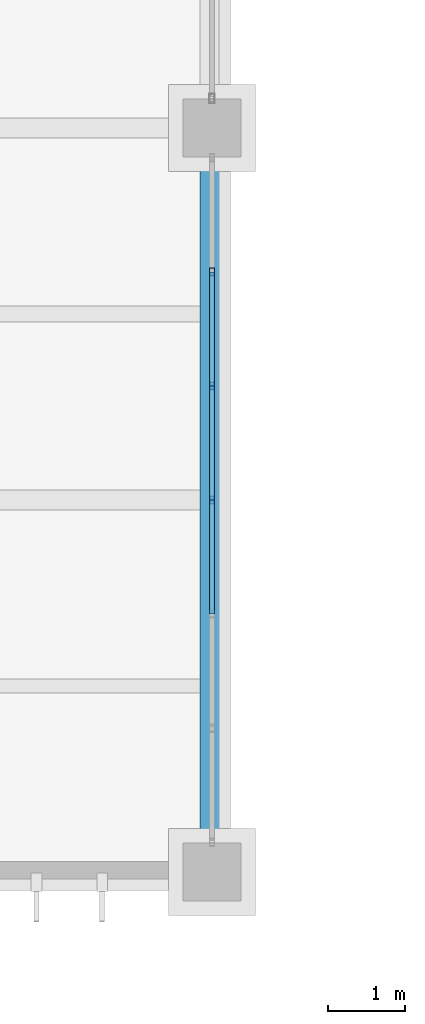
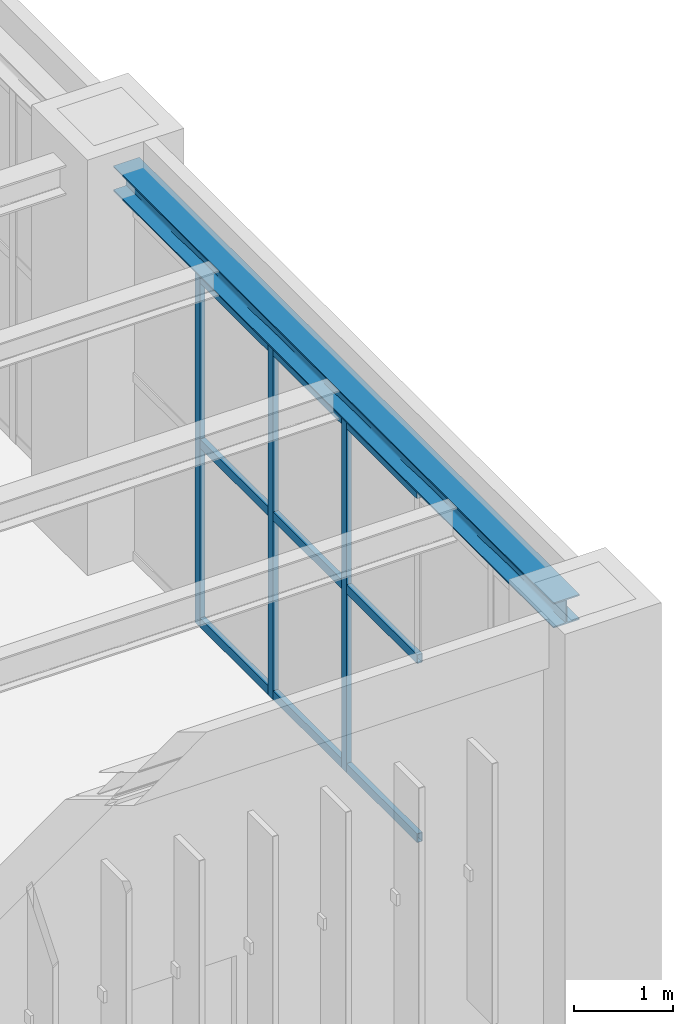
# One storey, part 71 of 174: 12 members, 1 beam, 1 element without a shape of its own.
"""IFC4 building model written with IfcOpenShell, lengths in metres."""

import ifcopenshell
import ifcopenshell.guid

model = None  # the IFC model being written
_history = None  # IfcOwnerHistory: only IFC2X3 demands one
_inside = {}  # id of a spatial element -> (the spatial element, [elements in it])
_under = {}  # id of a project, library or spatial element -> (it, [spatial elements below it])
_declared = {}  # id of a project -> (the project, [libraries it declares])
_typed = {}  # id of a type object -> (the type object, [elements of that type])
_made_of = {}  # id of a material, layer set ... -> (it, [elements and type objects made of it])


def new_model(schema):
    """Start an empty IFC model of exactly this schema.

    Asked for "IFC4X3", IfcOpenShell would pick the latest addendum, in which some entities
    have other attributes; the version numbers below select the first issue.
    IFC2X3 requires an IfcOwnerHistory on every rooted entity: one is made here for all.
    """
    global model, _history
    if schema == "IFC4X3":
        model = ifcopenshell.file(schema_version=(4, 3, 0, 0))
    else:
        model = ifcopenshell.file(schema=schema)
    _inside.clear()
    _under.clear()
    _declared.clear()
    _typed.clear()
    _made_of.clear()
    _history = None
    if model.schema == "IFC2X3":
        org = make("IfcOrganization", Name="unknown")
        user = make(
            "IfcPersonAndOrganization",
            ThePerson=make("IfcPerson", FamilyName="unknown"),
            TheOrganization=org,
        )
        app = make(
            "IfcApplication",
            ApplicationDeveloper=org,
            Version="unknown",
            ApplicationFullName="unknown",
            ApplicationIdentifier="unknown",
        )
        _history = make(
            "IfcOwnerHistory",
            OwningUser=user,
            OwningApplication=app,
            ChangeAction="ADDED",
            CreationDate=0,
        )
    return model


def make(cls, **values):
    """One entity of the class cls with the attributes given. An attribute that is None is left unset."""
    return model.create_entity(
        cls, **{name: value for name, value in values.items() if value is not None}
    )


def rooted(cls, **values):
    """An entity with a GlobalId (a new one), such as an element, a storey or a relation."""
    return make(cls, GlobalId=ifcopenshell.guid.new(), OwnerHistory=_history, **values)


def si_unit(unit_type, name, prefix=None):
    """IfcSIUnit, for example si_unit("LENGTHUNIT", "METRE", prefix="MILLI")."""
    return make("IfcSIUnit", UnitType=unit_type, Prefix=prefix, Name=name)


def assignment(units):
    """IfcUnitAssignment: the units of a project."""
    return None if units is None else make("IfcUnitAssignment", Units=units)


def point(xyz):
    """IfcCartesianPoint."""
    return None if xyz is None else make("IfcCartesianPoint", Coordinates=xyz)


def direction(xyz):
    """IfcDirection."""
    return None if xyz is None else make("IfcDirection", DirectionRatios=xyz)


def frame(location, z_axis=None, x_axis=None):
    """IfcAxis2Placement3D, a coordinate frame: its origin and axes. An axis left out is left unset."""
    return make(
        "IfcAxis2Placement3D",
        Location=point(location),
        Axis=direction(z_axis),
        RefDirection=direction(x_axis),
    )


def frame_2d(location, x_axis=None):
    """IfcAxis2Placement2D, a coordinate frame in the plane: its origin and x axis."""
    return make(
        "IfcAxis2Placement2D", Location=point(location), RefDirection=direction(x_axis)
    )


def origin():
    """The frame at (0, 0, 0) with its axes left unset."""
    return frame((0.0, 0.0, 0.0))


def origin_2d():
    """The frame at (0, 0) in the plane with its x axis left unset."""
    return frame_2d((0.0, 0.0))


def place(relative_to, where):
    """IfcLocalPlacement: puts the frame where relative to a parent placement (None: the world)."""
    return make(
        "IfcLocalPlacement", PlacementRelTo=relative_to, RelativePlacement=where
    )


def context(
    kind, dimensions, precision=None, world=None, true_north=None, identifier=None
):
    """IfcGeometricRepresentationContext, for example the 3D "Model" context."""
    return make(
        "IfcGeometricRepresentationContext",
        ContextIdentifier=identifier,
        ContextType=kind,
        CoordinateSpaceDimension=dimensions,
        Precision=precision,
        WorldCoordinateSystem=world,
        TrueNorth=true_north,
    )


def subcontext(parent, identifier, kind, view, scale=None):
    """IfcGeometricRepresentationSubContext, for example "Body" below "Model"."""
    return make(
        "IfcGeometricRepresentationSubContext",
        ContextIdentifier=identifier,
        ContextType=kind,
        ParentContext=parent,
        TargetScale=scale,
        TargetView=view,
    )


def project(units=None, contexts=None):
    """IfcProject with its units and contexts."""
    return rooted(
        "IfcProject",
        Name="project",
        RepresentationContexts=contexts,
        UnitsInContext=assignment(units),
    )


def spatial(cls, under=None, at=None, **own):
    """A site, building, storey or space (cls), placed at a placement, below another one or the project."""
    s = rooted(cls, ObjectPlacement=at, **own)
    if under is not None:
        _under.setdefault(under.id(), (under, []))[1].append(s)
    return s


def profile(cls, at=None, kind="AREA", **sizes):
    """A parametric profile (cls). Its sizes go by their IFC names, for example OverallWidth=200.0."""
    return make(cls, ProfileType=kind, Position=at, **sizes)


def hollow_rectangle(**sizes):
    """IfcRectangleHollowProfileDef."""
    return profile("IfcRectangleHollowProfileDef", **sizes)


def i_section(**sizes):
    """IfcIShapeProfileDef."""
    return profile("IfcIShapeProfileDef", **sizes)


def extrude(swept, where, along, depth):
    """IfcExtrudedAreaSolid: the profile swept, set in the frame where, extruded along a direction by depth."""
    return make(
        "IfcExtrudedAreaSolid",
        SweptArea=swept,
        Position=where,
        ExtrudedDirection=direction(along),
        Depth=depth,
    )


def shape(context_of_items, identifier, shape_type, items):
    """IfcShapeRepresentation: the items that make up one representation, for example the "Body"."""
    return make(
        "IfcShapeRepresentation",
        ContextOfItems=context_of_items,
        RepresentationIdentifier=identifier,
        RepresentationType=shape_type,
        Items=items,
    )


def material(Name=None, Category=None):
    """IfcMaterial."""
    return make("IfcMaterial", Name=Name, Category=Category)


def material_profile(
    of_material, cross_section, Name=None, Category=None, Priority=None
):
    """IfcMaterialProfile: a cross section and its material."""
    return make(
        "IfcMaterialProfile",
        Name=Name,
        Material=of_material,
        Profile=cross_section,
        Priority=Priority,
        Category=Category,
    )


def profile_set(profiles, Name=None, composite=None):
    """IfcMaterialProfileSet."""
    return make(
        "IfcMaterialProfileSet",
        Name=Name,
        MaterialProfiles=profiles,
        CompositeProfile=composite,
    )


def made_of(thing, what):
    """Note that an element or type object is made of a material, layer set ...; save() writes the relation."""
    if what is not None:
        _made_of.setdefault(what.id(), (what, []))[1].append(thing)
    return thing


def type_object(cls, material=None, **own):
    """A type object (cls), such as IfcWallType, which elements share."""
    return made_of(rooted(cls, **own), material)


def element(
    cls,
    number,
    at=None,
    inside=None,
    cuts=None,
    type_object=None,
    material=None,
    context=None,
    identifier="Body",
    shape_type=None,
    held_by="IfcProductDefinitionShape",
    body=None,
    shapes=None,
    **own,
):
    """One element of the class cls, such as IfcWall. Its Tag is "e" and its number.

    at: its placement. inside: the storey or other place that contains it. cuts: it is an
    opening in that element (IfcRelVoidsElement). A single representation is given by context,
    identifier, shape_type and body (its items); several are given by shapes. held_by: the class
    of the entity that holds the representations. save() writes the other relations.
    """
    e = rooted(cls, Tag="e%d" % number, ObjectPlacement=at, **own)
    if body is not None:
        shapes = [shape(context, identifier, shape_type, body)]
    if shapes is not None:
        e.Representation = make(held_by, Representations=shapes)
    if inside is not None:
        _inside.setdefault(inside.id(), (inside, []))[1].append(e)
    if cuts is not None:
        rooted(
            "IfcRelVoidsElement", RelatingBuildingElement=cuts, RelatedOpeningElement=e
        )
    if type_object is not None:
        _typed.setdefault(type_object.id(), (type_object, []))[1].append(e)
    return made_of(e, material)


def aggregate(whole, parts):
    """IfcRelAggregates: a whole, such as a stair, and the parts it consists of."""
    return rooted("IfcRelAggregates", RelatingObject=whole, RelatedObjects=parts)


def save(model, path):
    """Write the relations noted so far, then the file.

    IfcRelAggregates (storeys below a building ...), IfcRelContainedInSpatialStructure (elements
    in a storey), IfcRelDefinesByType, IfcRelAssociatesMaterial and IfcRelDeclares: one each for
    every whole, place, type object, material and project.
    """
    for whole, parts in _under.values():
        aggregate(whole, parts)
    for where, things in _inside.values():
        rooted(
            "IfcRelContainedInSpatialStructure",
            RelatedElements=things,
            RelatingStructure=where,
        )
    for kind, things in _typed.values():
        rooted("IfcRelDefinesByType", RelatedObjects=things, RelatingType=kind)
    for what, things in _made_of.values():
        rooted("IfcRelAssociatesMaterial", RelatedObjects=things, RelatingMaterial=what)
    for by, libraries in _declared.values():
        rooted("IfcRelDeclares", RelatingContext=by, RelatedDefinitions=libraries)
    model.write(path)


model = new_model("IFC4")

# Units and contexts
model_context = context("Model", 3, precision=1e-05, world=origin(), true_north=direction((0.0, 1.0)))
body_context = subcontext(model_context, "Body", "Model", "MODEL_VIEW")
ifc_project = project(units=[si_unit("LENGTHUNIT", "METRE"), si_unit("AREAUNIT", "SQUARE_METRE"), si_unit("VOLUMEUNIT", "CUBIC_METRE"), si_unit("PLANEANGLEUNIT", "RADIAN"), si_unit("MASSUNIT", "GRAM", prefix="KILO")], contexts=[model_context])

# Site, building, storey
site_placement = place(None, origin())
site = spatial("IfcSite", under=ifc_project, at=site_placement, CompositionType="ELEMENT")
building_placement = place(site_placement, origin())
building = spatial("IfcBuilding", under=site, at=building_placement, Name="Mavantir Sound Aquarium", CompositionType="ELEMENT")
storey_placement = place(building_placement, frame((0.0, 0.0, 5.39990234375)))
storey = spatial("IfcBuildingStorey", under=building, at=storey_placement, Name="L01", CompositionType="ELEMENT", Elevation=5.39990234375)

# Beam
ifc_material_1 = material(Name="Structural Steel ASTM A992 Gr50", Category="steel")
ifc_material_profile_1 = material_profile(ifc_material_1, i_section(OverallWidth=0.304931640625, OverallDepth=0.30810546875, WebThickness=0.010009765625, FlangeThickness=0.015380859375, FilletRadius=0.014892578125, at=origin_2d()), Name="W310X97")
ifc_profile_set_1 = profile_set([ifc_material_profile_1], Name="Structural Steel ASTM A992 Gr50")
beam_type = type_object("IfcBeamType", Name="BM-W310X97-E", PredefinedType="SPANDREL", material=ifc_profile_set_1)
beam_placement = place(storey_placement, frame((38.39990234375, 83.97509765625, 4.6220703125), z_axis=(0.0, 1.0, 0.0), x_axis=(-1.0, 0.0, 0.0)))
element("IfcBeam", 1, at=beam_placement, inside=storey, type_object=beam_type, Name="L01 primary girder SS-31A 1393", PredefinedType="SPANDREL", context=body_context, shape_type="SweptSolid", body=[
    extrude(i_section(OverallWidth=0.304931640625, OverallDepth=0.30810546875, WebThickness=0.010009765625, FlangeThickness=0.015380859375, FilletRadius=0.014892578125, at=origin_2d()), origin(), (0.0, 0.0, 1.0), 8.849853515625),
])

# Curtain wall, members
ifc_material_2 = material(Name="Anodised Marine Aluminium and Low-E Glass", Category="aluminium")
curtain_wall_type = type_object("IfcCurtainWallType", Name="CW-T17", PredefinedType="USERDEFINED", material=ifc_material_2)
curtain_wall_placement = place(storey_placement, origin())
curtain_wall = element("IfcCurtainWall", 2, at=curtain_wall_placement, inside=storey, type_object=curtain_wall_type, Name="L01 unitised curtain wall CW-17 113", ObjectType="UNITISED GLAZING", PredefinedType="USERDEFINED")
ifc_material_3 = material(Name="Anodised Marine Aluminium 6063-T6", Category="aluminium")
ifc_material_profile_2 = material_profile(ifc_material_3, hollow_rectangle(XDim=0.06005859375, YDim=0.10009765625, WallThickness=0.00390625, at=origin_2d()), Name="ALU-MULLION-100X60")
ifc_profile_set_2 = profile_set([ifc_material_profile_2], Name="Anodised Marine Aluminium 6063-T6")
member_type_1 = type_object("IfcMemberType", Name="CW-MUL-100", PredefinedType="MULLION", material=ifc_profile_set_2)
member_1_placement = place(storey_placement, frame((38.39990234375, 88.39990234375, 0.0), z_axis=(0.0, 0.0, 1.0), x_axis=(1.0, 0.0, 0.0)))
member_1 = element("IfcMember", 3, at=member_1_placement, type_object=member_type_1, Name="CW-L01-113 vertical mullion 4", PredefinedType="MULLION", context=body_context, shape_type="SweptSolid", body=[
    extrude(hollow_rectangle(XDim=0.06005859375, YDim=0.10009765625, WallThickness=0.00390625, at=origin_2d()), origin(), (0.0, 0.0, 1.0), 4.3291015625),
])
member_2_placement = place(storey_placement, frame((38.39990234375, 89.872314453125, 0.0), z_axis=(0.0, 0.0, 1.0), x_axis=(1.0, 0.0, 0.0)))
member_2 = element("IfcMember", 4, at=member_2_placement, type_object=member_type_1, Name="CW-L01-113 vertical mullion 5", PredefinedType="MULLION", context=body_context, shape_type="SweptSolid", body=[
    extrude(hollow_rectangle(XDim=0.06005859375, YDim=0.10009765625, WallThickness=0.00390625, at=origin_2d()), origin(), (0.0, 0.0, 1.0), 4.3291015625),
])
member_3_placement = place(storey_placement, frame((38.39990234375, 91.3447265625, 0.0), z_axis=(0.0, 0.0, 1.0), x_axis=(1.0, 0.0, 0.0)))
member_3 = element("IfcMember", 5, at=member_3_placement, type_object=member_type_1, Name="CW-L01-113 vertical mullion 6", PredefinedType="MULLION", context=body_context, shape_type="SweptSolid", body=[
    extrude(hollow_rectangle(XDim=0.06005859375, YDim=0.10009765625, WallThickness=0.00390625, at=origin_2d()), origin(), (0.0, 0.0, 1.0), 4.3291015625),
])
ifc_material_profile_3 = material_profile(ifc_material_3, hollow_rectangle(XDim=0.06005859375, YDim=0.110107421875, WallThickness=0.00390625, at=origin_2d()), Name="ALU-TRANSOM-110X60")
ifc_profile_set_3 = profile_set([ifc_material_profile_3], Name="Anodised Marine Aluminium 6063-T6")
member_type_2 = type_object("IfcMemberType", Name="CW-TRN-110", PredefinedType="USERDEFINED", material=ifc_profile_set_3)
member_4_placement = place(storey_placement, frame((38.39990234375, 86.927734375, 0.05517578125), z_axis=(0.0, 1.0, 0.0), x_axis=(-1.0, 0.0, 0.0)))
member_4 = element("IfcMember", 6, at=member_4_placement, type_object=member_type_2, Name="CW-L01-113 transom 3.1", ObjectType="TRANSOM", PredefinedType="USERDEFINED", context=body_context, shape_type="SweptSolid", body=[
    extrude(hollow_rectangle(XDim=0.06005859375, YDim=0.110107421875, WallThickness=0.00390625, at=origin_2d()), origin(), (0.0, 0.0, 1.0), 1.47216796875),
])
member_5_placement = place(storey_placement, frame((38.39990234375, 86.927734375, 2.251220703125), z_axis=(0.0, 1.0, 0.0), x_axis=(-1.0, 0.0, 0.0)))
member_5 = element("IfcMember", 7, at=member_5_placement, type_object=member_type_2, Name="CW-L01-113 transom 3.2", ObjectType="TRANSOM", PredefinedType="USERDEFINED", context=body_context, shape_type="SweptSolid", body=[
    extrude(hollow_rectangle(XDim=0.06005859375, YDim=0.110107421875, WallThickness=0.00390625, at=origin_2d()), origin(), (0.0, 0.0, 1.0), 1.47216796875),
])
member_6_placement = place(storey_placement, frame((38.39990234375, 86.927734375, 4.274169921875), z_axis=(0.0, 1.0, 0.0), x_axis=(-1.0, 0.0, 0.0)))
member_6 = element("IfcMember", 8, at=member_6_placement, type_object=member_type_2, Name="CW-L01-113 transom 3.3", ObjectType="TRANSOM", PredefinedType="USERDEFINED", context=body_context, shape_type="SweptSolid", body=[
    extrude(hollow_rectangle(XDim=0.06005859375, YDim=0.110107421875, WallThickness=0.00390625, at=origin_2d()), origin(), (0.0, 0.0, 1.0), 1.47216796875),
])
member_7_placement = place(storey_placement, frame((38.39990234375, 88.39990234375, 0.05517578125), z_axis=(0.0, 1.0, 0.0), x_axis=(-1.0, 0.0, 0.0)))
member_7 = element("IfcMember", 9, at=member_7_placement, type_object=member_type_2, Name="CW-L01-113 transom 4.1", ObjectType="TRANSOM", PredefinedType="USERDEFINED", context=body_context, shape_type="SweptSolid", body=[
    extrude(hollow_rectangle(XDim=0.06005859375, YDim=0.110107421875, WallThickness=0.00390625, at=origin_2d()), origin(), (0.0, 0.0, 1.0), 1.472412109375),
])
member_8_placement = place(storey_placement, frame((38.39990234375, 88.39990234375, 2.251220703125), z_axis=(0.0, 1.0, 0.0), x_axis=(-1.0, 0.0, 0.0)))
member_8 = element("IfcMember", 10, at=member_8_placement, type_object=member_type_2, Name="CW-L01-113 transom 4.2", ObjectType="TRANSOM", PredefinedType="USERDEFINED", context=body_context, shape_type="SweptSolid", body=[
    extrude(hollow_rectangle(XDim=0.06005859375, YDim=0.110107421875, WallThickness=0.00390625, at=origin_2d()), origin(), (0.0, 0.0, 1.0), 1.472412109375),
])
member_9_placement = place(storey_placement, frame((38.39990234375, 88.39990234375, 4.274169921875), z_axis=(0.0, 1.0, 0.0), x_axis=(-1.0, 0.0, 0.0)))
member_9 = element("IfcMember", 11, at=member_9_placement, type_object=member_type_2, Name="CW-L01-113 transom 4.3", ObjectType="TRANSOM", PredefinedType="USERDEFINED", context=body_context, shape_type="SweptSolid", body=[
    extrude(hollow_rectangle(XDim=0.06005859375, YDim=0.110107421875, WallThickness=0.00390625, at=origin_2d()), origin(), (0.0, 0.0, 1.0), 1.472412109375),
])
member_10_placement = place(storey_placement, frame((38.39990234375, 89.872314453125, 0.05517578125), z_axis=(0.0, 1.0, 0.0), x_axis=(-1.0, 0.0, 0.0)))
member_10 = element("IfcMember", 12, at=member_10_placement, type_object=member_type_2, Name="CW-L01-113 transom 5.1", ObjectType="TRANSOM", PredefinedType="USERDEFINED", context=body_context, shape_type="SweptSolid", body=[
    extrude(hollow_rectangle(XDim=0.06005859375, YDim=0.110107421875, WallThickness=0.00390625, at=origin_2d()), origin(), (0.0, 0.0, 1.0), 1.472412109375),
])
member_11_placement = place(storey_placement, frame((38.39990234375, 89.872314453125, 2.251220703125), z_axis=(0.0, 1.0, 0.0), x_axis=(-1.0, 0.0, 0.0)))
member_11 = element("IfcMember", 13, at=member_11_placement, type_object=member_type_2, Name="CW-L01-113 transom 5.2", ObjectType="TRANSOM", PredefinedType="USERDEFINED", context=body_context, shape_type="SweptSolid", body=[
    extrude(hollow_rectangle(XDim=0.06005859375, YDim=0.110107421875, WallThickness=0.00390625, at=origin_2d()), origin(), (0.0, 0.0, 1.0), 1.472412109375),
])
member_12_placement = place(storey_placement, frame((38.39990234375, 89.872314453125, 4.274169921875), z_axis=(0.0, 1.0, 0.0), x_axis=(-1.0, 0.0, 0.0)))
member_12 = element("IfcMember", 14, at=member_12_placement, type_object=member_type_2, Name="CW-L01-113 transom 5.3", ObjectType="TRANSOM", PredefinedType="USERDEFINED", context=body_context, shape_type="SweptSolid", body=[
    extrude(hollow_rectangle(XDim=0.06005859375, YDim=0.110107421875, WallThickness=0.00390625, at=origin_2d()), origin(), (0.0, 0.0, 1.0), 1.472412109375),
])
aggregate(curtain_wall, [member_1, member_2, member_3, member_4, member_5, member_6, member_7, member_8, member_9, member_10, member_11, member_12])

save(model, "model.ifc")
